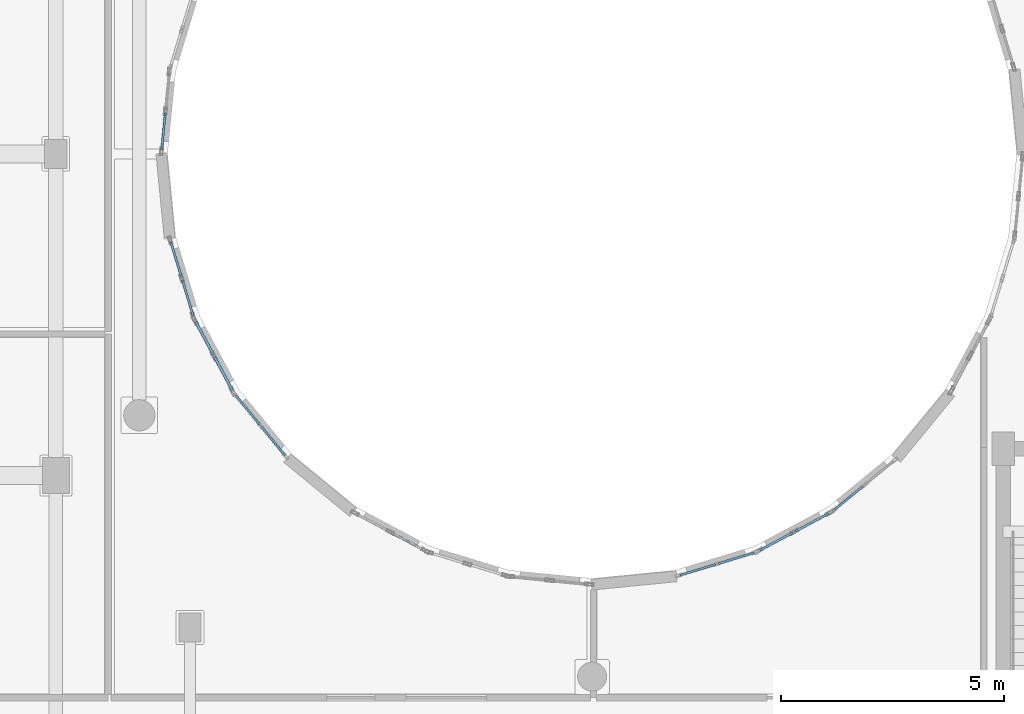
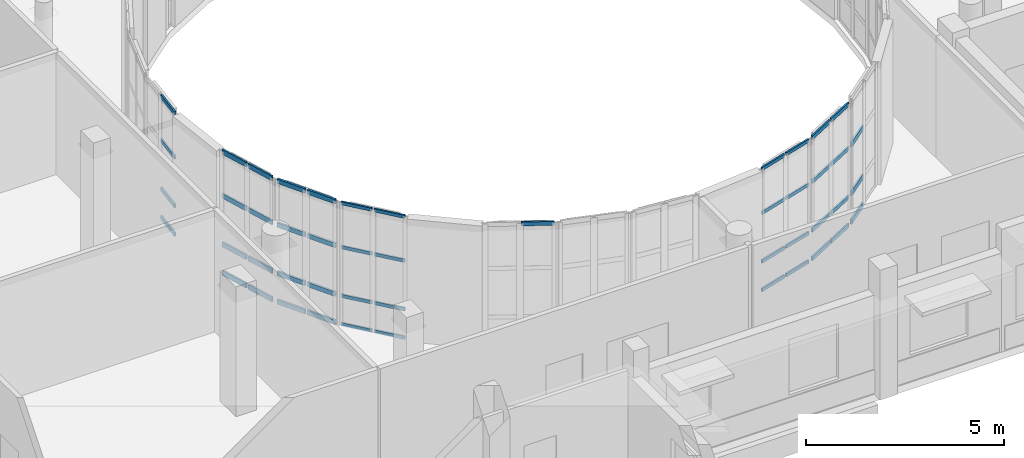
# One storey, part 50 of 89: 48 members, 8 elements without a shape of their own.
"""IFC4 building model written with IfcOpenShell, lengths in metres."""

from ifc_helpers import new_model, si_unit, direction, frame, origin, origin_2d, place, context, subcontext, project, spatial, hollow_rectangle, extrude, material, layer, layer_set, material_profile, profile_set, type_object, element, aggregate, save


model = new_model("IFC4")

# Units and contexts
model_context = context("Model", 3, precision=1e-05, world=origin(), true_north=direction((0.0, 1.0)))
body_context = subcontext(model_context, "Body", "Model", "MODEL_VIEW")
ifc_project = project(units=[si_unit("LENGTHUNIT", "METRE"), si_unit("AREAUNIT", "SQUARE_METRE"), si_unit("VOLUMEUNIT", "CUBIC_METRE"), si_unit("PLANEANGLEUNIT", "RADIAN"), si_unit("MASSUNIT", "GRAM", prefix="KILO")], contexts=[model_context])

# Site, building, storey
site_placement = place(None, origin())
site = spatial("IfcSite", under=ifc_project, at=site_placement, CompositionType="ELEMENT")
building_placement = place(site_placement, origin())
building = spatial("IfcBuilding", under=site, at=building_placement, Name="Kelanivale Promenade Academy", CompositionType="ELEMENT")
storey_placement = place(building_placement, frame((0.0, 0.0, 12.199951171875)))
storey = spatial("IfcBuildingStorey", under=building, at=storey_placement, Name="L03", CompositionType="ELEMENT", Elevation=12.199951171875)

# Curtain wall, members
ifc_material_1 = material(Name="Bronze anodised aluminium and solar-control low-E glass", Category="aluminium")
ifc_layer_1 = layer(ifc_material_1, 0.169921875)
ifc_layer_set_1 = layer_set([ifc_layer_1], Name="Bronze anodised aluminium and solar-control low-E glass")
curtain_wall_type_1 = type_object("IfcCurtainWallType", Name="CW-01 Curtain Wall 1350mm Module", PredefinedType="USERDEFINED", material=ifc_layer_set_1)
curtain_wall_1_placement = place(storey_placement, origin())
curtain_wall_1 = element("IfcCurtainWall", 1, at=curtain_wall_1_placement, inside=storey, type_object=curtain_wall_type_1, Name="L03 courtyard curtain wall CW-01", ObjectType="UNITISED GLAZING", PredefinedType="USERDEFINED")
ifc_material_2 = material(Name="Bronze anodised aluminium EN AW-6063 T6", Category="aluminium")
ifc_material_profile_1 = material_profile(ifc_material_2, hollow_rectangle(XDim=0.050048828125, YDim=0.10009765625, WallThickness=0.0029296875, at=origin_2d()), Name="ALU 50x100x3.0")
ifc_profile_set_1 = profile_set([ifc_material_profile_1], Name="Bronze anodised aluminium EN AW-6063 T6")
member_type_1 = type_object("IfcMemberType", Name="CWT-01 ALU 50x100x3.0", PredefinedType="USERDEFINED", material=ifc_profile_set_1)
member_1_placement = place(storey_placement, frame((90.8310546875, 51.38671875, 0.025146484375), z_axis=(0.633939444819, -0.77338268684, 0.0), x_axis=(0.77338268684, 0.633939444819, 0.0)))
member_1 = element("IfcMember", 2, at=member_1_placement, type_object=member_type_1, Name="CW-01 transom 1.1", ObjectType="TRANSOM", PredefinedType="USERDEFINED", context=body_context, shape_type="SweptSolid", body=[
    extrude(hollow_rectangle(XDim=0.050048828125, YDim=0.10009765625, WallThickness=0.0029296875, at=origin_2d()), origin(), (0.0, 0.0, 1.0), 0.83349609375),
])
member_2_placement = place(storey_placement, frame((90.8310546875, 51.38671875, 0.900146484375), z_axis=(0.633939444819, -0.77338268684, 0.0), x_axis=(0.77338268684, 0.633939444819, 0.0)))
member_2 = element("IfcMember", 3, at=member_2_placement, type_object=member_type_1, Name="CW-01 transom 1.2", ObjectType="TRANSOM", PredefinedType="USERDEFINED", context=body_context, shape_type="SweptSolid", body=[
    extrude(hollow_rectangle(XDim=0.050048828125, YDim=0.10009765625, WallThickness=0.0029296875, at=origin_2d()), origin(), (0.0, 0.0, 1.0), 0.83349609375),
])
member_3_placement = place(storey_placement, frame((90.8310546875, 51.38671875, 2.400146484375), z_axis=(0.633939444819, -0.77338268684, 0.0), x_axis=(0.77338268684, 0.633939444819, 0.0)))
member_3 = element("IfcMember", 4, at=member_3_placement, type_object=member_type_1, Name="CW-01 transom 1.3", ObjectType="TRANSOM", PredefinedType="USERDEFINED", context=body_context, shape_type="SweptSolid", body=[
    extrude(hollow_rectangle(XDim=0.050048828125, YDim=0.10009765625, WallThickness=0.0029296875, at=origin_2d()), origin(), (0.0, 0.0, 1.0), 0.83349609375),
])
member_4_placement = place(storey_placement, frame((90.8310546875, 51.38671875, 3.755126953125), z_axis=(0.633939444819, -0.77338268684, 0.0), x_axis=(0.77338268684, 0.633939444819, 0.0)))
member_4 = element("IfcMember", 5, at=member_4_placement, type_object=member_type_1, Name="CW-01 transom 1.4", ObjectType="TRANSOM", PredefinedType="USERDEFINED", context=body_context, shape_type="SweptSolid", body=[
    extrude(hollow_rectangle(XDim=0.050048828125, YDim=0.10009765625, WallThickness=0.0029296875, at=origin_2d()), origin(), (0.0, 0.0, 1.0), 0.83349609375),
])
member_5_placement = place(storey_placement, frame((91.3974609375, 50.69580078125, 0.025146484375), z_axis=(0.634258248108, -0.773121254854, 0.0), x_axis=(0.773121254854, 0.634258248108, 0.0)))
member_5 = element("IfcMember", 6, at=member_5_placement, type_object=member_type_1, Name="CW-01 transom 2.1", ObjectType="TRANSOM", PredefinedType="USERDEFINED", context=body_context, shape_type="SweptSolid", body=[
    extrude(hollow_rectangle(XDim=0.050048828125, YDim=0.10009765625, WallThickness=0.0029296875, at=origin_2d()), origin(), (0.0, 0.0, 1.0), 0.833251953125),
])
member_6_placement = place(storey_placement, frame((91.3974609375, 50.69580078125, 0.900146484375), z_axis=(0.634258248108, -0.773121254854, 0.0), x_axis=(0.773121254854, 0.634258248108, 0.0)))
member_6 = element("IfcMember", 7, at=member_6_placement, type_object=member_type_1, Name="CW-01 transom 2.2", ObjectType="TRANSOM", PredefinedType="USERDEFINED", context=body_context, shape_type="SweptSolid", body=[
    extrude(hollow_rectangle(XDim=0.050048828125, YDim=0.10009765625, WallThickness=0.0029296875, at=origin_2d()), origin(), (0.0, 0.0, 1.0), 0.833251953125),
])
member_7_placement = place(storey_placement, frame((91.3974609375, 50.69580078125, 2.400146484375), z_axis=(0.634258248108, -0.773121254854, 0.0), x_axis=(0.773121254854, 0.634258248108, 0.0)))
member_7 = element("IfcMember", 8, at=member_7_placement, type_object=member_type_1, Name="CW-01 transom 2.3", ObjectType="TRANSOM", PredefinedType="USERDEFINED", context=body_context, shape_type="SweptSolid", body=[
    extrude(hollow_rectangle(XDim=0.050048828125, YDim=0.10009765625, WallThickness=0.0029296875, at=origin_2d()), origin(), (0.0, 0.0, 1.0), 0.833251953125),
])
member_8_placement = place(storey_placement, frame((91.3974609375, 50.69580078125, 3.755126953125), z_axis=(0.634258248108, -0.773121254854, 0.0), x_axis=(0.773121254854, 0.634258248108, 0.0)))
member_8 = element("IfcMember", 9, at=member_8_placement, type_object=member_type_1, Name="CW-01 transom 2.4", ObjectType="TRANSOM", PredefinedType="USERDEFINED", context=body_context, shape_type="SweptSolid", body=[
    extrude(hollow_rectangle(XDim=0.050048828125, YDim=0.10009765625, WallThickness=0.0029296875, at=origin_2d()), origin(), (0.0, 0.0, 1.0), 0.833251953125),
])
aggregate(curtain_wall_1, [member_1, member_2, member_3, member_4, member_5, member_6, member_7, member_8])

ifc_layer_2 = layer(ifc_material_1, 0.179931640625)
ifc_layer_set_2 = layer_set([ifc_layer_2], Name="Bronze anodised aluminium and solar-control low-E glass")
curtain_wall_type_2 = type_object("IfcCurtainWallType", Name="CW-05 Curtain Wall 1950mm Module", PredefinedType="USERDEFINED", material=ifc_layer_set_2)
curtain_wall_2_placement = place(storey_placement, origin())
curtain_wall_2 = element("IfcCurtainWall", 10, at=curtain_wall_2_placement, inside=storey, type_object=curtain_wall_type_2, Name="L03 courtyard curtain wall CW-05", ObjectType="UNITISED GLAZING", PredefinedType="USERDEFINED")
member_9_placement = place(storey_placement, frame((100.765380859375, 47.370361328125, 0.025146484375), z_axis=(0.956967741223, 0.2901943181, 0.0), x_axis=(-0.2901943181, 0.956967741223, 0.0)))
member_9 = element("IfcMember", 11, at=member_9_placement, type_object=member_type_1, Name="CW-05 transom 1.1", ObjectType="TRANSOM", PredefinedType="USERDEFINED", context=body_context, shape_type="SweptSolid", body=[
    extrude(hollow_rectangle(XDim=0.050048828125, YDim=0.10009765625, WallThickness=0.0029296875, at=origin_2d()), origin(), (0.0, 0.0, 1.0), 0.833740234375),
])
member_10_placement = place(storey_placement, frame((100.765380859375, 47.370361328125, 0.900146484375), z_axis=(0.956967741223, 0.2901943181, 0.0), x_axis=(-0.2901943181, 0.956967741223, 0.0)))
member_10 = element("IfcMember", 12, at=member_10_placement, type_object=member_type_1, Name="CW-05 transom 1.2", ObjectType="TRANSOM", PredefinedType="USERDEFINED", context=body_context, shape_type="SweptSolid", body=[
    extrude(hollow_rectangle(XDim=0.050048828125, YDim=0.10009765625, WallThickness=0.0029296875, at=origin_2d()), origin(), (0.0, 0.0, 1.0), 0.833740234375),
])
member_11_placement = place(storey_placement, frame((100.765380859375, 47.370361328125, 2.400146484375), z_axis=(0.956967741223, 0.2901943181, 0.0), x_axis=(-0.2901943181, 0.956967741223, 0.0)))
member_11 = element("IfcMember", 13, at=member_11_placement, type_object=member_type_1, Name="CW-05 transom 1.3", ObjectType="TRANSOM", PredefinedType="USERDEFINED", context=body_context, shape_type="SweptSolid", body=[
    extrude(hollow_rectangle(XDim=0.050048828125, YDim=0.10009765625, WallThickness=0.0029296875, at=origin_2d()), origin(), (0.0, 0.0, 1.0), 0.833740234375),
])
member_12_placement = place(storey_placement, frame((100.765380859375, 47.370361328125, 3.755126953125), z_axis=(0.956967741223, 0.2901943181, 0.0), x_axis=(-0.2901943181, 0.956967741223, 0.0)))
member_12 = element("IfcMember", 14, at=member_12_placement, type_object=member_type_1, Name="CW-05 transom 1.4", ObjectType="TRANSOM", PredefinedType="USERDEFINED", context=body_context, shape_type="SweptSolid", body=[
    extrude(hollow_rectangle(XDim=0.050048828125, YDim=0.10009765625, WallThickness=0.0029296875, at=origin_2d()), origin(), (0.0, 0.0, 1.0), 0.833740234375),
])
member_13_placement = place(storey_placement, frame((101.62060546875, 47.629638671875, 0.025146484375), z_axis=(0.956992390861, 0.290113019071, 0.0), x_axis=(-0.290113019071, 0.956992390861, 0.0)))
member_13 = element("IfcMember", 15, at=member_13_placement, type_object=member_type_1, Name="CW-05 transom 2.1", ObjectType="TRANSOM", PredefinedType="USERDEFINED", context=body_context, shape_type="SweptSolid", body=[
    extrude(hollow_rectangle(XDim=0.050048828125, YDim=0.10009765625, WallThickness=0.0029296875, at=origin_2d()), origin(), (0.0, 0.0, 1.0), 0.833984375),
])
member_14_placement = place(storey_placement, frame((101.62060546875, 47.629638671875, 0.900146484375), z_axis=(0.956992390861, 0.290113019071, 0.0), x_axis=(-0.290113019071, 0.956992390861, 0.0)))
member_14 = element("IfcMember", 16, at=member_14_placement, type_object=member_type_1, Name="CW-05 transom 2.2", ObjectType="TRANSOM", PredefinedType="USERDEFINED", context=body_context, shape_type="SweptSolid", body=[
    extrude(hollow_rectangle(XDim=0.050048828125, YDim=0.10009765625, WallThickness=0.0029296875, at=origin_2d()), origin(), (0.0, 0.0, 1.0), 0.833984375),
])
member_15_placement = place(storey_placement, frame((101.62060546875, 47.629638671875, 2.400146484375), z_axis=(0.956992390861, 0.290113019071, 0.0), x_axis=(-0.290113019071, 0.956992390861, 0.0)))
member_15 = element("IfcMember", 17, at=member_15_placement, type_object=member_type_1, Name="CW-05 transom 2.3", ObjectType="TRANSOM", PredefinedType="USERDEFINED", context=body_context, shape_type="SweptSolid", body=[
    extrude(hollow_rectangle(XDim=0.050048828125, YDim=0.10009765625, WallThickness=0.0029296875, at=origin_2d()), origin(), (0.0, 0.0, 1.0), 0.833984375),
])
member_16_placement = place(storey_placement, frame((101.62060546875, 47.629638671875, 3.755126953125), z_axis=(0.956992390861, 0.290113019071, 0.0), x_axis=(-0.290113019071, 0.956992390861, 0.0)))
member_16 = element("IfcMember", 18, at=member_16_placement, type_object=member_type_1, Name="CW-05 transom 2.4", ObjectType="TRANSOM", PredefinedType="USERDEFINED", context=body_context, shape_type="SweptSolid", body=[
    extrude(hollow_rectangle(XDim=0.050048828125, YDim=0.10009765625, WallThickness=0.0029296875, at=origin_2d()), origin(), (0.0, 0.0, 1.0), 0.833984375),
])
aggregate(curtain_wall_2, [member_9, member_10, member_11, member_12, member_13, member_14, member_15, member_16])

ifc_layer_3 = layer(ifc_material_1, 0.169921875)
ifc_layer_set_3 = layer_set([ifc_layer_3], Name="Bronze anodised aluminium and solar-control low-E glass")
curtain_wall_type_3 = type_object("IfcCurtainWallType", Name="CW-22 Curtain Wall 1800mm Module", PredefinedType="USERDEFINED", material=ifc_layer_set_3)
curtain_wall_3_placement = place(storey_placement, origin())
curtain_wall_3 = element("IfcCurtainWall", 19, at=curtain_wall_3_placement, inside=storey, type_object=curtain_wall_type_3, Name="L03 courtyard curtain wall CW-22", ObjectType="COURTYARD SCREEN GLAZING", PredefinedType="USERDEFINED")
ifc_material_profile_2 = material_profile(ifc_material_2, hollow_rectangle(XDim=0.050048828125, YDim=0.1201171875, WallThickness=0.0029296875, at=origin_2d()), Name="ALU 50x120x3.0")
ifc_profile_set_2 = profile_set([ifc_material_profile_2], Name="Bronze anodised aluminium EN AW-6063 T6")
member_type_2 = type_object("IfcMemberType", Name="CWT-02 ALU 50x120x3.0", PredefinedType="USERDEFINED", material=ifc_profile_set_2)
member_17_placement = place(storey_placement, frame((89.25, 57.71826171875, 0.025146484375), z_axis=(-0.098401799113, -0.995146766026, 0.0), x_axis=(0.995146766026, -0.098401799113, 0.0)))
member_17 = element("IfcMember", 20, at=member_17_placement, type_object=member_type_2, Name="CW-22 transom 2.1", ObjectType="TRANSOM", PredefinedType="USERDEFINED", context=body_context, shape_type="SweptSolid", body=[
    extrude(hollow_rectangle(XDim=0.050048828125, YDim=0.1201171875, WallThickness=0.0029296875, at=origin_2d()), origin(), (0.0, 0.0, 1.0), 0.833740234375),
])
member_18_placement = place(storey_placement, frame((89.25, 57.71826171875, 0.900146484375), z_axis=(-0.098401799113, -0.995146766026, 0.0), x_axis=(0.995146766026, -0.098401799113, 0.0)))
member_18 = element("IfcMember", 21, at=member_18_placement, type_object=member_type_2, Name="CW-22 transom 2.2", ObjectType="TRANSOM", PredefinedType="USERDEFINED", context=body_context, shape_type="SweptSolid", body=[
    extrude(hollow_rectangle(XDim=0.050048828125, YDim=0.1201171875, WallThickness=0.0029296875, at=origin_2d()), origin(), (0.0, 0.0, 1.0), 0.833740234375),
])
member_19_placement = place(storey_placement, frame((89.25, 57.71826171875, 2.400146484375), z_axis=(-0.098401799113, -0.995146766026, 0.0), x_axis=(0.995146766026, -0.098401799113, 0.0)))
member_19 = element("IfcMember", 22, at=member_19_placement, type_object=member_type_2, Name="CW-22 transom 2.3", ObjectType="TRANSOM", PredefinedType="USERDEFINED", context=body_context, shape_type="SweptSolid", body=[
    extrude(hollow_rectangle(XDim=0.050048828125, YDim=0.1201171875, WallThickness=0.0029296875, at=origin_2d()), origin(), (0.0, 0.0, 1.0), 0.833740234375),
])
member_20_placement = place(storey_placement, frame((89.25, 57.71826171875, 3.755126953125), z_axis=(-0.098401799113, -0.995146766026, 0.0), x_axis=(0.995146766026, -0.098401799113, 0.0)))
member_20 = element("IfcMember", 23, at=member_20_placement, type_object=member_type_2, Name="CW-22 transom 2.4", ObjectType="TRANSOM", PredefinedType="USERDEFINED", context=body_context, shape_type="SweptSolid", body=[
    extrude(hollow_rectangle(XDim=0.050048828125, YDim=0.1201171875, WallThickness=0.0029296875, at=origin_2d()), origin(), (0.0, 0.0, 1.0), 0.833740234375),
])
aggregate(curtain_wall_3, [member_17, member_18, member_19, member_20])

# Curtain wall, member
ifc_layer_4 = layer(ifc_material_1, 0.179931640625)
ifc_layer_set_4 = layer_set([ifc_layer_4], Name="Bronze anodised aluminium and solar-control low-E glass")
curtain_wall_type_4 = type_object("IfcCurtainWallType", Name="CW-02 Curtain Wall 1500mm Module", PredefinedType="USERDEFINED", material=ifc_layer_set_4)
curtain_wall_4_placement = place(storey_placement, origin())
curtain_wall_4 = element("IfcCurtainWall", 24, at=curtain_wall_4_placement, inside=storey, type_object=curtain_wall_type_4, Name="L03 courtyard curtain wall CW-02", ObjectType="UNITISED GLAZING", PredefinedType="USERDEFINED")
member_21_placement = place(storey_placement, frame((94.310546875, 48.3212890625, 3.755126953125), z_axis=(0.881979921347, -0.471286980873, 0.0), x_axis=(0.471286980873, 0.881979921347, 0.0)))
member_21 = element("IfcMember", 25, at=member_21_placement, type_object=member_type_2, Name="CW-02 transom 2.4", ObjectType="TRANSOM", PredefinedType="USERDEFINED", context=body_context, shape_type="SweptSolid", body=[
    extrude(hollow_rectangle(XDim=0.050048828125, YDim=0.1201171875, WallThickness=0.0029296875, at=origin_2d()), origin(), (0.0, 0.0, 1.0), 0.833984375),
])
aggregate(curtain_wall_4, [member_21])

# Curtain wall, members
ifc_layer_5 = layer(ifc_material_1, 0.159912109375)
ifc_layer_set_5 = layer_set([ifc_layer_5], Name="Bronze anodised aluminium and solar-control low-E glass")
curtain_wall_type_5 = type_object("IfcCurtainWallType", Name="CW-06 Curtain Wall 1200mm Module", PredefinedType="USERDEFINED", material=ifc_layer_set_5)
curtain_wall_5_placement = place(storey_placement, origin())
curtain_wall_5 = element("IfcCurtainWall", 26, at=curtain_wall_5_placement, inside=storey, type_object=curtain_wall_type_5, Name="L03 courtyard curtain wall CW-06", ObjectType="UNITISED GLAZING", PredefinedType="USERDEFINED")
member_22_placement = place(storey_placement, frame((102.553955078125, 47.92822265625, 0.025146484375), z_axis=(0.881910874358, 0.471416174616, 0.0), x_axis=(-0.471416174616, 0.881910874358, 0.0)))
member_22 = element("IfcMember", 27, at=member_22_placement, type_object=member_type_2, Name="CW-06 transom 1.1", ObjectType="TRANSOM", PredefinedType="USERDEFINED", context=body_context, shape_type="SweptSolid", body=[
    extrude(hollow_rectangle(XDim=0.050048828125, YDim=0.1201171875, WallThickness=0.0029296875, at=origin_2d()), origin(), (0.0, 0.0, 1.0), 0.841552734375),
])
member_23_placement = place(storey_placement, frame((102.553955078125, 47.92822265625, 0.900146484375), z_axis=(0.881910874358, 0.471416174616, 0.0), x_axis=(-0.471416174616, 0.881910874358, 0.0)))
member_23 = element("IfcMember", 28, at=member_23_placement, type_object=member_type_2, Name="CW-06 transom 1.2", ObjectType="TRANSOM", PredefinedType="USERDEFINED", context=body_context, shape_type="SweptSolid", body=[
    extrude(hollow_rectangle(XDim=0.050048828125, YDim=0.1201171875, WallThickness=0.0029296875, at=origin_2d()), origin(), (0.0, 0.0, 1.0), 0.841552734375),
])
member_24_placement = place(storey_placement, frame((102.553955078125, 47.92822265625, 2.400146484375), z_axis=(0.881910874358, 0.471416174616, 0.0), x_axis=(-0.471416174616, 0.881910874358, 0.0)))
member_24 = element("IfcMember", 29, at=member_24_placement, type_object=member_type_2, Name="CW-06 transom 1.3", ObjectType="TRANSOM", PredefinedType="USERDEFINED", context=body_context, shape_type="SweptSolid", body=[
    extrude(hollow_rectangle(XDim=0.050048828125, YDim=0.1201171875, WallThickness=0.0029296875, at=origin_2d()), origin(), (0.0, 0.0, 1.0), 0.841552734375),
])
member_25_placement = place(storey_placement, frame((102.553955078125, 47.92822265625, 3.755126953125), z_axis=(0.881910874358, 0.471416174616, 0.0), x_axis=(-0.471416174616, 0.881910874358, 0.0)))
member_25 = element("IfcMember", 30, at=member_25_placement, type_object=member_type_2, Name="CW-06 transom 1.4", ObjectType="TRANSOM", PredefinedType="USERDEFINED", context=body_context, shape_type="SweptSolid", body=[
    extrude(hollow_rectangle(XDim=0.050048828125, YDim=0.1201171875, WallThickness=0.0029296875, at=origin_2d()), origin(), (0.0, 0.0, 1.0), 0.841552734375),
])
member_26_placement = place(storey_placement, frame((103.348876953125, 48.35302734375, 0.025146484375), z_axis=(0.881910874358, 0.471416174616, 0.0), x_axis=(-0.471416174616, 0.881910874358, 0.0)))
member_26 = element("IfcMember", 31, at=member_26_placement, type_object=member_type_2, Name="CW-06 transom 2.1", ObjectType="TRANSOM", PredefinedType="USERDEFINED", context=body_context, shape_type="SweptSolid", body=[
    extrude(hollow_rectangle(XDim=0.050048828125, YDim=0.1201171875, WallThickness=0.0029296875, at=origin_2d()), origin(), (0.0, 0.0, 1.0), 0.841552734375),
])
member_27_placement = place(storey_placement, frame((103.348876953125, 48.35302734375, 0.900146484375), z_axis=(0.881910874358, 0.471416174616, 0.0), x_axis=(-0.471416174616, 0.881910874358, 0.0)))
member_27 = element("IfcMember", 32, at=member_27_placement, type_object=member_type_2, Name="CW-06 transom 2.2", ObjectType="TRANSOM", PredefinedType="USERDEFINED", context=body_context, shape_type="SweptSolid", body=[
    extrude(hollow_rectangle(XDim=0.050048828125, YDim=0.1201171875, WallThickness=0.0029296875, at=origin_2d()), origin(), (0.0, 0.0, 1.0), 0.841552734375),
])
member_28_placement = place(storey_placement, frame((103.348876953125, 48.35302734375, 2.400146484375), z_axis=(0.881910874358, 0.471416174616, 0.0), x_axis=(-0.471416174616, 0.881910874358, 0.0)))
member_28 = element("IfcMember", 33, at=member_28_placement, type_object=member_type_2, Name="CW-06 transom 2.3", ObjectType="TRANSOM", PredefinedType="USERDEFINED", context=body_context, shape_type="SweptSolid", body=[
    extrude(hollow_rectangle(XDim=0.050048828125, YDim=0.1201171875, WallThickness=0.0029296875, at=origin_2d()), origin(), (0.0, 0.0, 1.0), 0.841552734375),
])
member_29_placement = place(storey_placement, frame((103.348876953125, 48.35302734375, 3.755126953125), z_axis=(0.881910874358, 0.471416174616, 0.0), x_axis=(-0.471416174616, 0.881910874358, 0.0)))
member_29 = element("IfcMember", 34, at=member_29_placement, type_object=member_type_2, Name="CW-06 transom 2.4", ObjectType="TRANSOM", PredefinedType="USERDEFINED", context=body_context, shape_type="SweptSolid", body=[
    extrude(hollow_rectangle(XDim=0.050048828125, YDim=0.1201171875, WallThickness=0.0029296875, at=origin_2d()), origin(), (0.0, 0.0, 1.0), 0.841552734375),
])
aggregate(curtain_wall_5, [member_22, member_23, member_24, member_25, member_26, member_27, member_28, member_29])

ifc_layer_6 = layer(ifc_material_1, 0.179931640625)
ifc_layer_set_6 = layer_set([ifc_layer_6], Name="Bronze anodised aluminium and solar-control low-E glass")
curtain_wall_type_6 = type_object("IfcCurtainWallType", Name="CW-23 Curtain Wall 1950mm Module", PredefinedType="USERDEFINED", material=ifc_layer_set_6)
curtain_wall_6_placement = place(storey_placement, origin())
curtain_wall_6 = element("IfcCurtainWall", 35, at=curtain_wall_6_placement, inside=storey, type_object=curtain_wall_type_6, Name="L03 courtyard curtain wall CW-23", ObjectType="COURTYARD SCREEN GLAZING", PredefinedType="USERDEFINED")
ifc_material_profile_3 = material_profile(ifc_material_2, hollow_rectangle(XDim=0.050048828125, YDim=0.14990234375, WallThickness=0.00341796875, at=origin_2d()), Name="ALU 50x150x3.5")
ifc_profile_set_3 = profile_set([ifc_material_profile_3], Name="Bronze anodised aluminium EN AW-6063 T6")
member_type_3 = type_object("IfcMemberType", Name="CWT-03 ALU 50x150x3.5", PredefinedType="USERDEFINED", material=ifc_profile_set_3)
member_30_placement = place(storey_placement, frame((89.371826171875, 54.829833984375, 0.025146484375), z_axis=(0.290138596258, -0.956984636742, 0.0), x_axis=(0.956984636742, 0.290138596258, 0.0)))
member_30 = element("IfcMember", 36, at=member_30_placement, type_object=member_type_3, Name="CW-23 transom 1.1", ObjectType="TRANSOM", PredefinedType="USERDEFINED", context=body_context, shape_type="SweptSolid", body=[
    extrude(hollow_rectangle(XDim=0.050048828125, YDim=0.14990234375, WallThickness=0.00341796875, at=origin_2d()), origin(), (0.0, 0.0, 1.0), 0.826416015625),
])
member_31_placement = place(storey_placement, frame((89.371826171875, 54.829833984375, 0.900146484375), z_axis=(0.290138596258, -0.956984636742, 0.0), x_axis=(0.956984636742, 0.290138596258, 0.0)))
member_31 = element("IfcMember", 37, at=member_31_placement, type_object=member_type_3, Name="CW-23 transom 1.2", ObjectType="TRANSOM", PredefinedType="USERDEFINED", context=body_context, shape_type="SweptSolid", body=[
    extrude(hollow_rectangle(XDim=0.050048828125, YDim=0.14990234375, WallThickness=0.00341796875, at=origin_2d()), origin(), (0.0, 0.0, 1.0), 0.826416015625),
])
member_32_placement = place(storey_placement, frame((89.371826171875, 54.829833984375, 2.400146484375), z_axis=(0.290138596258, -0.956984636742, 0.0), x_axis=(0.956984636742, 0.290138596258, 0.0)))
member_32 = element("IfcMember", 38, at=member_32_placement, type_object=member_type_3, Name="CW-23 transom 1.3", ObjectType="TRANSOM", PredefinedType="USERDEFINED", context=body_context, shape_type="SweptSolid", body=[
    extrude(hollow_rectangle(XDim=0.050048828125, YDim=0.14990234375, WallThickness=0.00341796875, at=origin_2d()), origin(), (0.0, 0.0, 1.0), 0.826416015625),
])
member_33_placement = place(storey_placement, frame((89.371826171875, 54.829833984375, 3.755126953125), z_axis=(0.290138596258, -0.956984636742, 0.0), x_axis=(0.956984636742, 0.290138596258, 0.0)))
member_33 = element("IfcMember", 39, at=member_33_placement, type_object=member_type_3, Name="CW-23 transom 1.4", ObjectType="TRANSOM", PredefinedType="USERDEFINED", context=body_context, shape_type="SweptSolid", body=[
    extrude(hollow_rectangle(XDim=0.050048828125, YDim=0.14990234375, WallThickness=0.00341796875, at=origin_2d()), origin(), (0.0, 0.0, 1.0), 0.826416015625),
])
member_34_placement = place(storey_placement, frame((89.63037109375, 53.976806640625, 0.025146484375), z_axis=(0.290220654396, -0.956959754515, 0.0), x_axis=(0.956959754515, 0.290220654396, 0.0)))
member_34 = element("IfcMember", 40, at=member_34_placement, type_object=member_type_3, Name="CW-23 transom 2.1", ObjectType="TRANSOM", PredefinedType="USERDEFINED", context=body_context, shape_type="SweptSolid", body=[
    extrude(hollow_rectangle(XDim=0.050048828125, YDim=0.14990234375, WallThickness=0.00341796875, at=origin_2d()), origin(), (0.0, 0.0, 1.0), 0.826171875),
])
member_35_placement = place(storey_placement, frame((89.63037109375, 53.976806640625, 0.900146484375), z_axis=(0.290220654396, -0.956959754515, 0.0), x_axis=(0.956959754515, 0.290220654396, 0.0)))
member_35 = element("IfcMember", 41, at=member_35_placement, type_object=member_type_3, Name="CW-23 transom 2.2", ObjectType="TRANSOM", PredefinedType="USERDEFINED", context=body_context, shape_type="SweptSolid", body=[
    extrude(hollow_rectangle(XDim=0.050048828125, YDim=0.14990234375, WallThickness=0.00341796875, at=origin_2d()), origin(), (0.0, 0.0, 1.0), 0.826171875),
])
member_36_placement = place(storey_placement, frame((89.63037109375, 53.976806640625, 2.400146484375), z_axis=(0.290220654396, -0.956959754515, 0.0), x_axis=(0.956959754515, 0.290220654396, 0.0)))
member_36 = element("IfcMember", 42, at=member_36_placement, type_object=member_type_3, Name="CW-23 transom 2.3", ObjectType="TRANSOM", PredefinedType="USERDEFINED", context=body_context, shape_type="SweptSolid", body=[
    extrude(hollow_rectangle(XDim=0.050048828125, YDim=0.14990234375, WallThickness=0.00341796875, at=origin_2d()), origin(), (0.0, 0.0, 1.0), 0.826171875),
])
member_37_placement = place(storey_placement, frame((89.63037109375, 53.976806640625, 3.755126953125), z_axis=(0.290220654396, -0.956959754515, 0.0), x_axis=(0.956959754515, 0.290220654396, 0.0)))
member_37 = element("IfcMember", 43, at=member_37_placement, type_object=member_type_3, Name="CW-23 transom 2.4", ObjectType="TRANSOM", PredefinedType="USERDEFINED", context=body_context, shape_type="SweptSolid", body=[
    extrude(hollow_rectangle(XDim=0.050048828125, YDim=0.14990234375, WallThickness=0.00341796875, at=origin_2d()), origin(), (0.0, 0.0, 1.0), 0.826171875),
])
aggregate(curtain_wall_6, [member_30, member_31, member_32, member_33, member_34, member_35, member_36, member_37])

ifc_layer_7 = layer(ifc_material_1, 0.169921875)
ifc_layer_set_7 = layer_set([ifc_layer_7], Name="Bronze anodised aluminium and solar-control low-E glass")
curtain_wall_type_7 = type_object("IfcCurtainWallType", Name="CW-07 Curtain Wall 1350mm Module", PredefinedType="USERDEFINED", material=ifc_layer_set_7)
curtain_wall_7_placement = place(storey_placement, origin())
curtain_wall_7 = element("IfcCurtainWall", 44, at=curtain_wall_7_placement, inside=storey, type_object=curtain_wall_type_7, Name="L03 courtyard curtain wall CW-07", ObjectType="UNITISED GLAZING", PredefinedType="USERDEFINED")
member_38_placement = place(storey_placement, frame((104.21728515625, 48.834228515625, 0.025146484375), z_axis=(0.7732851825, 0.634058377853, 0.0), x_axis=(-0.634058377853, 0.7732851825, 0.0)))
member_38 = element("IfcMember", 45, at=member_38_placement, type_object=member_type_3, Name="CW-07 transom 1.1", ObjectType="TRANSOM", PredefinedType="USERDEFINED", context=body_context, shape_type="SweptSolid", body=[
    extrude(hollow_rectangle(XDim=0.050048828125, YDim=0.14990234375, WallThickness=0.00341796875, at=origin_2d()), origin(), (0.0, 0.0, 1.0), 0.825927734375),
])
member_39_placement = place(storey_placement, frame((104.21728515625, 48.834228515625, 0.900146484375), z_axis=(0.7732851825, 0.634058377853, 0.0), x_axis=(-0.634058377853, 0.7732851825, 0.0)))
member_39 = element("IfcMember", 46, at=member_39_placement, type_object=member_type_3, Name="CW-07 transom 1.2", ObjectType="TRANSOM", PredefinedType="USERDEFINED", context=body_context, shape_type="SweptSolid", body=[
    extrude(hollow_rectangle(XDim=0.050048828125, YDim=0.14990234375, WallThickness=0.00341796875, at=origin_2d()), origin(), (0.0, 0.0, 1.0), 0.825927734375),
])
member_40_placement = place(storey_placement, frame((104.21728515625, 48.834228515625, 2.400146484375), z_axis=(0.7732851825, 0.634058377853, 0.0), x_axis=(-0.634058377853, 0.7732851825, 0.0)))
member_40 = element("IfcMember", 47, at=member_40_placement, type_object=member_type_3, Name="CW-07 transom 1.3", ObjectType="TRANSOM", PredefinedType="USERDEFINED", context=body_context, shape_type="SweptSolid", body=[
    extrude(hollow_rectangle(XDim=0.050048828125, YDim=0.14990234375, WallThickness=0.00341796875, at=origin_2d()), origin(), (0.0, 0.0, 1.0), 0.825927734375),
])
aggregate(curtain_wall_7, [member_38, member_39, member_40])

ifc_layer_8 = layer(ifc_material_1, 0.159912109375)
ifc_layer_set_8 = layer_set([ifc_layer_8], Name="Bronze anodised aluminium and solar-control low-E glass")
curtain_wall_type_8 = type_object("IfcCurtainWallType", Name="CW-24 Curtain Wall 1200mm Module", PredefinedType="USERDEFINED", material=ifc_layer_set_8)
curtain_wall_8_placement = place(storey_placement, origin())
curtain_wall_8 = element("IfcCurtainWall", 48, at=curtain_wall_8_placement, inside=storey, type_object=curtain_wall_type_8, Name="L03 courtyard curtain wall CW-24", ObjectType="COURTYARD SCREEN GLAZING", PredefinedType="USERDEFINED")
ifc_material_profile_4 = material_profile(ifc_material_2, hollow_rectangle(XDim=0.06005859375, YDim=0.139892578125, WallThickness=0.00341796875, at=origin_2d()), Name="ALU 60x140x3.5")
ifc_profile_set_4 = profile_set([ifc_material_profile_4], Name="Bronze anodised aluminium EN AW-6063 T6")
member_type_4 = type_object("IfcMemberType", Name="CWT-04 ALU 60x140x3.5", PredefinedType="USERDEFINED", material=ifc_profile_set_4)
member_41_placement = place(storey_placement, frame((89.9306640625, 53.041748046875, 0.030029296875), z_axis=(0.471286980873, -0.881979921347, 0.0), x_axis=(0.881979921347, 0.471286980873, 0.0)))
member_41 = element("IfcMember", 49, at=member_41_placement, type_object=member_type_4, Name="CW-24 transom 1.1", ObjectType="TRANSOM", PredefinedType="USERDEFINED", context=body_context, shape_type="SweptSolid", body=[
    extrude(hollow_rectangle(XDim=0.06005859375, YDim=0.139892578125, WallThickness=0.00341796875, at=origin_2d()), origin(), (0.0, 0.0, 1.0), 0.833984375),
])
member_42_placement = place(storey_placement, frame((89.9306640625, 53.041748046875, 0.900146484375), z_axis=(0.471286980873, -0.881979921347, 0.0), x_axis=(0.881979921347, 0.471286980873, 0.0)))
member_42 = element("IfcMember", 50, at=member_42_placement, type_object=member_type_4, Name="CW-24 transom 1.2", ObjectType="TRANSOM", PredefinedType="USERDEFINED", context=body_context, shape_type="SweptSolid", body=[
    extrude(hollow_rectangle(XDim=0.06005859375, YDim=0.139892578125, WallThickness=0.00341796875, at=origin_2d()), origin(), (0.0, 0.0, 1.0), 0.833984375),
])
member_43_placement = place(storey_placement, frame((89.9306640625, 53.041748046875, 2.400146484375), z_axis=(0.471286980873, -0.881979921347, 0.0), x_axis=(0.881979921347, 0.471286980873, 0.0)))
member_43 = element("IfcMember", 51, at=member_43_placement, type_object=member_type_4, Name="CW-24 transom 1.3", ObjectType="TRANSOM", PredefinedType="USERDEFINED", context=body_context, shape_type="SweptSolid", body=[
    extrude(hollow_rectangle(XDim=0.06005859375, YDim=0.139892578125, WallThickness=0.00341796875, at=origin_2d()), origin(), (0.0, 0.0, 1.0), 0.833984375),
])
member_44_placement = place(storey_placement, frame((89.9306640625, 53.041748046875, 3.75), z_axis=(0.471286980873, -0.881979921347, 0.0), x_axis=(0.881979921347, 0.471286980873, 0.0)))
member_44 = element("IfcMember", 52, at=member_44_placement, type_object=member_type_4, Name="CW-24 transom 1.4", ObjectType="TRANSOM", PredefinedType="USERDEFINED", context=body_context, shape_type="SweptSolid", body=[
    extrude(hollow_rectangle(XDim=0.06005859375, YDim=0.139892578125, WallThickness=0.00341796875, at=origin_2d()), origin(), (0.0, 0.0, 1.0), 0.833984375),
])
member_45_placement = place(storey_placement, frame((90.354248046875, 52.248779296875, 0.030029296875), z_axis=(0.471408683466, -0.881914878632, 0.0), x_axis=(0.881914878632, 0.471408683466, 0.0)))
member_45 = element("IfcMember", 53, at=member_45_placement, type_object=member_type_4, Name="CW-24 transom 2.1", ObjectType="TRANSOM", PredefinedType="USERDEFINED", context=body_context, shape_type="SweptSolid", body=[
    extrude(hollow_rectangle(XDim=0.06005859375, YDim=0.139892578125, WallThickness=0.00341796875, at=origin_2d()), origin(), (0.0, 0.0, 1.0), 0.833740234375),
])
member_46_placement = place(storey_placement, frame((90.354248046875, 52.248779296875, 0.900146484375), z_axis=(0.471408683466, -0.881914878632, 0.0), x_axis=(0.881914878632, 0.471408683466, 0.0)))
member_46 = element("IfcMember", 54, at=member_46_placement, type_object=member_type_4, Name="CW-24 transom 2.2", ObjectType="TRANSOM", PredefinedType="USERDEFINED", context=body_context, shape_type="SweptSolid", body=[
    extrude(hollow_rectangle(XDim=0.06005859375, YDim=0.139892578125, WallThickness=0.00341796875, at=origin_2d()), origin(), (0.0, 0.0, 1.0), 0.833740234375),
])
member_47_placement = place(storey_placement, frame((90.354248046875, 52.248779296875, 2.400146484375), z_axis=(0.471408683466, -0.881914878632, 0.0), x_axis=(0.881914878632, 0.471408683466, 0.0)))
member_47 = element("IfcMember", 55, at=member_47_placement, type_object=member_type_4, Name="CW-24 transom 2.3", ObjectType="TRANSOM", PredefinedType="USERDEFINED", context=body_context, shape_type="SweptSolid", body=[
    extrude(hollow_rectangle(XDim=0.06005859375, YDim=0.139892578125, WallThickness=0.00341796875, at=origin_2d()), origin(), (0.0, 0.0, 1.0), 0.833740234375),
])
member_48_placement = place(storey_placement, frame((90.354248046875, 52.248779296875, 3.75), z_axis=(0.471408683466, -0.881914878632, 0.0), x_axis=(0.881914878632, 0.471408683466, 0.0)))
member_48 = element("IfcMember", 56, at=member_48_placement, type_object=member_type_4, Name="CW-24 transom 2.4", ObjectType="TRANSOM", PredefinedType="USERDEFINED", context=body_context, shape_type="SweptSolid", body=[
    extrude(hollow_rectangle(XDim=0.06005859375, YDim=0.139892578125, WallThickness=0.00341796875, at=origin_2d()), origin(), (0.0, 0.0, 1.0), 0.833740234375),
])
aggregate(curtain_wall_8, [member_41, member_42, member_43, member_44, member_45, member_46, member_47, member_48])

save(model, "model.ifc")
